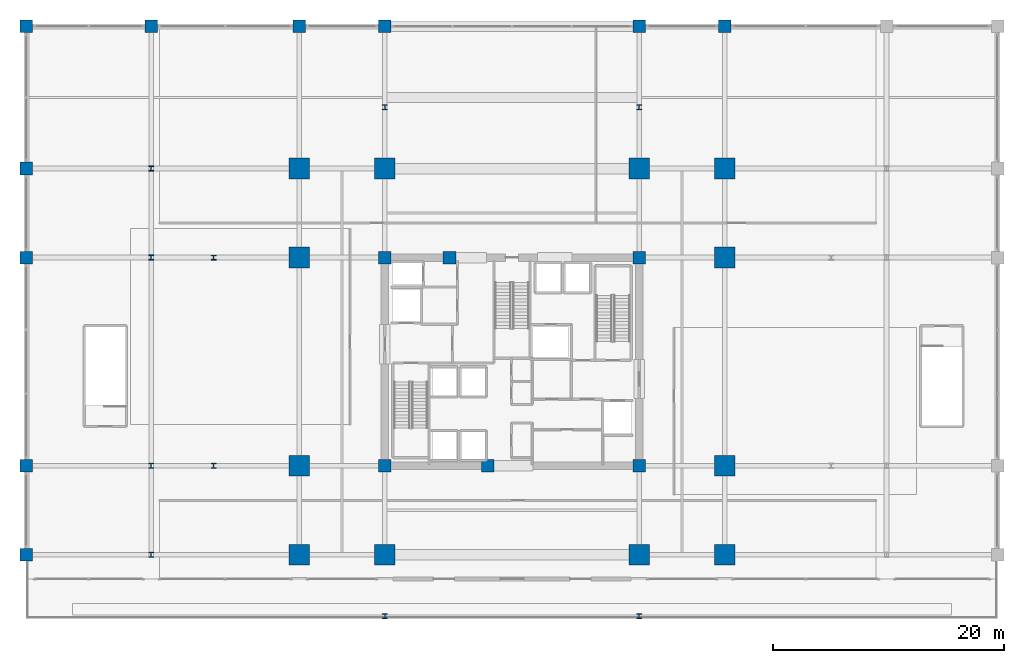
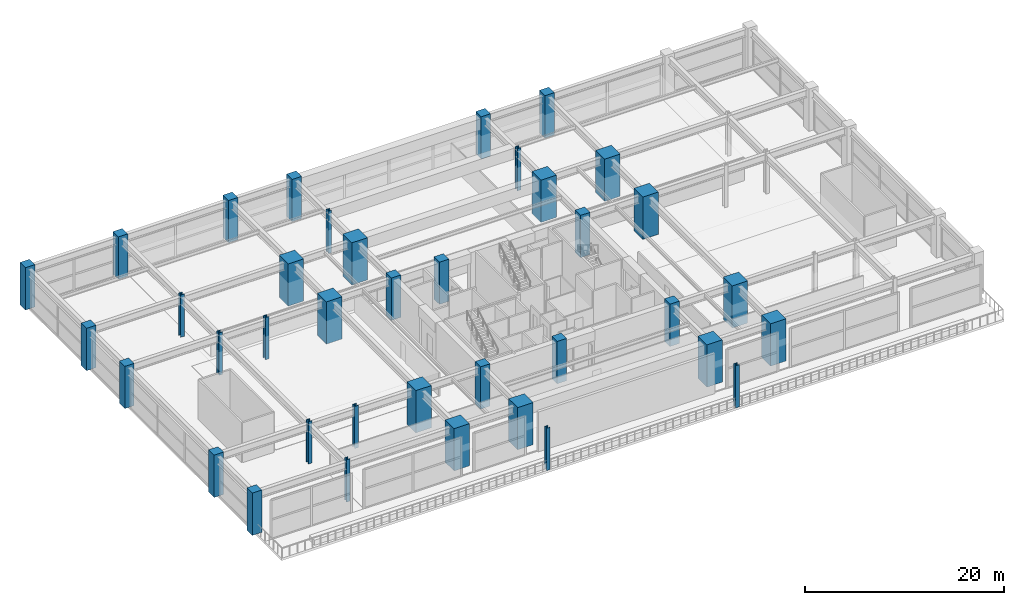
# One storey, part 1 of 35: 38 columns.
"""IFC4 building model written with IfcOpenShell, lengths in metres."""

from ifc_helpers import new_model, si_unit, direction, frame, origin, origin_2d, place, context, subcontext, project, spatial, rectangle, i_section, extrude, material, material_profile, profile_set, type_object, element, save


model = new_model("IFC4")

# Units and contexts
model_context = context("Model", 3, precision=1e-05, world=origin(), true_north=direction((0.0, 1.0)))
body_context = subcontext(model_context, "Body", "Model", "MODEL_VIEW")
ifc_project = project(units=[si_unit("LENGTHUNIT", "METRE"), si_unit("AREAUNIT", "SQUARE_METRE"), si_unit("VOLUMEUNIT", "CUBIC_METRE"), si_unit("PLANEANGLEUNIT", "RADIAN"), si_unit("MASSUNIT", "GRAM", prefix="KILO")], contexts=[model_context])

# Site, building, storey
site_placement = place(None, origin())
site = spatial("IfcSite", under=ifc_project, at=site_placement, CompositionType="ELEMENT")
building_placement = place(site_placement, origin())
building = spatial("IfcBuilding", under=site, at=building_placement, Name="Kovane Verandah Tower", CompositionType="ELEMENT")
storey_placement = place(building_placement, frame((0.0, 0.0, 16.39990234375)))
storey = spatial("IfcBuildingStorey", under=building, at=storey_placement, Name="L03", CompositionType="ELEMENT", Elevation=16.39990234375)

# Columns
ifc_material_1 = material(Name="Concrete C60/75", Category="concrete")
ifc_material_profile_1 = material_profile(ifc_material_1, rectangle(XDim=1.10009765625, YDim=1.10009765625, at=origin_2d()), Name="RC1100x1100")
ifc_profile_set_1 = profile_set([ifc_material_profile_1], Name="Concrete C60/75")
column_type_1 = type_object("IfcColumnType", Name="COL-POD1100", PredefinedType="COLUMN", material=ifc_profile_set_1)
for number, where, z_axis, x_axis, name in (
    (1, (-2.0, 10.800048828125, 0.0), (0.0, 0.0, 1.0), (1.0, 0.0, 0.0), "L03 Podium Column PC-W1"),
    (2, (-2.0, 18.5, 0.0), (0.0, 0.0, 1.0), (1.0, 0.0, 0.0), "L03 Podium Column PC-W2"),
    (3, (-2.0, 36.5, 0.0), (0.0, 0.0, 1.0), (1.0, 0.0, 0.0), "L03 Podium Column PC-W3"),
    (4, (-2.0, 44.199951171875, 0.0), (0.0, 0.0, 1.0), (1.0, 0.0, 0.0), "L03 Podium Column PC-W4"),
    (5, (-2.0, 56.5, 0.0), (0.0, 0.0, 1.0), (1.0, 0.0, 0.0), "L03 Podium Column PC-W5"),
    (6, (8.800048828125, 56.5, 0.0), (0.0, 0.0, 1.0), (1.0, 0.0, 0.0), "L03 Podium Column PC-N1"),
    (7, (21.60009765625, 56.5, 0.0), (0.0, 0.0, 1.0), (1.0, 0.0, 0.0), "L03 Podium Column PC-N2"),
    (8, (29.0, 56.5, 0.0), (0.0, 0.0, 1.0), (1.0, 0.0, 0.0), "L03 Podium Column PC-N3"),
    (9, (51.0, 56.5, 0.0), (0.0, 0.0, 1.0), (1.0, 0.0, 0.0), "L03 Podium Column PC-N4"),
    (10, (58.39990234375, 56.5, 0.0), (0.0, 0.0, 1.0), (1.0, 0.0, 0.0), "L03 Podium Column PC-N5"),
):
    element("IfcColumn", number, at=place(storey_placement, frame(where, z_axis=z_axis, x_axis=x_axis)), inside=storey, type_object=column_type_1, Name=name, PredefinedType="COLUMN", context=body_context, shape_type="SweptSolid", body=[
        extrude(rectangle(XDim=1.10009765625, YDim=1.10009765625, at=origin_2d()), origin(), (0.0, 0.0, 1.0), 5.2001953125),
    ])
ifc_material_2 = material(Name="Concrete C80/95", Category="concrete")
ifc_material_profile_2 = material_profile(ifc_material_2, rectangle(XDim=1.800048828125, YDim=1.800048828125, at=origin_2d()), Name="RC1800x1800")
ifc_profile_set_2 = profile_set([ifc_material_profile_2], Name="Concrete C80/95")
column_type_2 = type_object("IfcColumnType", Name="COL-RC1800", PredefinedType="COLUMN", material=ifc_profile_set_2)
for number, where, z_axis, x_axis, name in (
    (11, (29.0, 10.800048828125, 0.0), (0.0, 0.0, 1.0), (1.0, 0.0, 0.0), "L03 Tower Mega-Column MC-S1"),
    (12, (51.0, 10.800048828125, 0.0), (0.0, 0.0, 1.0), (1.0, 0.0, 0.0), "L03 Tower Mega-Column MC-S2"),
    (13, (29.0, 44.199951171875, 0.0), (0.0, 0.0, 1.0), (1.0, 0.0, 0.0), "L03 Tower Mega-Column MC-N1"),
    (14, (51.0, 44.199951171875, 0.0), (0.0, 0.0, 1.0), (1.0, 0.0, 0.0), "L03 Tower Mega-Column MC-N2"),
    (15, (21.60009765625, 18.5, 0.0), (0.0, 0.0, 1.0), (1.0, 0.0, 0.0), "L03 Tower Mega-Column MC-W1"),
    (16, (21.60009765625, 36.5, 0.0), (0.0, 0.0, 1.0), (1.0, 0.0, 0.0), "L03 Tower Mega-Column MC-W2"),
    (17, (58.39990234375, 18.5, 0.0), (0.0, 0.0, 1.0), (1.0, 0.0, 0.0), "L03 Tower Mega-Column MC-E1"),
    (18, (58.39990234375, 36.5, 0.0), (0.0, 0.0, 1.0), (1.0, 0.0, 0.0), "L03 Tower Mega-Column MC-E2"),
    (19, (21.60009765625, 10.800048828125, 0.0), (0.0, 0.0, 1.0), (1.0, 0.0, 0.0), "L03 Tower Mega-Column MC-SW"),
    (20, (58.39990234375, 10.800048828125, 0.0), (0.0, 0.0, 1.0), (1.0, 0.0, 0.0), "L03 Tower Mega-Column MC-SE"),
    (21, (21.60009765625, 44.199951171875, 0.0), (0.0, 0.0, 1.0), (1.0, 0.0, 0.0), "L03 Tower Mega-Column MC-NW"),
    (22, (58.39990234375, 44.199951171875, 0.0), (0.0, 0.0, 1.0), (1.0, 0.0, 0.0), "L03 Tower Mega-Column MC-NE"),
):
    element("IfcColumn", number, at=place(storey_placement, frame(where, z_axis=z_axis, x_axis=x_axis)), inside=storey, type_object=column_type_2, Name=name, PredefinedType="COLUMN", context=body_context, shape_type="SweptSolid", body=[
        extrude(rectangle(XDim=1.800048828125, YDim=1.800048828125, at=origin_2d()), origin(), (0.0, 0.0, 1.0), 5.2001953125),
    ])
ifc_material_3 = material(Name="Steel S460", Category="steel")
ifc_material_profile_3 = material_profile(ifc_material_3, i_section(OverallWidth=0.412109375, OverallDepth=0.4365234375, WebThickness=0.035888671875, FlangeThickness=0.05810546875, FilletRadius=0.01513671875, at=origin_2d()), Name="UC356x406x467")
ifc_profile_set_3 = profile_set([ifc_material_profile_3], Name="Steel S460")
column_type_3 = type_object("IfcColumnType", Name="COL-UC467", PredefinedType="COLUMN", material=ifc_profile_set_3)
for number, where, z_axis, x_axis, name in (
    (23, (14.199951171875, 18.5, 0.0), (0.0, 0.0, 1.0), (1.0, 0.0, 0.0), "L03 Verandah Perimeter Column VC-W1"),
    (24, (14.199951171875, 36.5, 0.0), (0.0, 0.0, 1.0), (1.0, 0.0, 0.0), "L03 Verandah Perimeter Column VC-W2"),
    (25, (29.0, 5.5, 0.0), (0.0, 0.0, 1.0), (1.0, 0.0, 0.0), "L03 Verandah Perimeter Column VC-S1"),
    (26, (51.0, 5.5, 0.0), (0.0, 0.0, 1.0), (1.0, 0.0, 0.0), "L03 Verandah Perimeter Column VC-S2"),
    (27, (29.0, 49.5, 0.0), (0.0, 0.0, 1.0), (1.0, 0.0, 0.0), "L03 Verandah Perimeter Column VC-N1"),
    (28, (51.0, 49.5, 0.0), (0.0, 0.0, 1.0), (1.0, 0.0, 0.0), "L03 Verandah Perimeter Column VC-N2"),
):
    element("IfcColumn", number, at=place(storey_placement, frame(where, z_axis=z_axis, x_axis=x_axis)), inside=storey, type_object=column_type_3, Name=name, PredefinedType="COLUMN", context=body_context, shape_type="SweptSolid", body=[
        extrude(i_section(OverallWidth=0.412109375, OverallDepth=0.4365234375, WebThickness=0.035888671875, FlangeThickness=0.05810546875, FilletRadius=0.01513671875, at=origin_2d()), origin(), (0.0, 0.0, 1.0), 5.2001953125),
    ])
ifc_material_4 = material(Name="Steel S355", Category="steel")
ifc_material_profile_4 = material_profile(ifc_material_4, i_section(OverallWidth=0.41845703125, OverallDepth=0.45556640625, WebThickness=0.0419921875, FlangeThickness=0.0673828125, FilletRadius=0.01513671875, at=origin_2d()), Name="UC356x406x551")
ifc_profile_set_4 = profile_set([ifc_material_profile_4], Name="Steel S355")
column_type_4 = type_object("IfcColumnType", Name="COL-UC551", PredefinedType="COLUMN", material=ifc_profile_set_4)
for number, where, z_axis, x_axis, name in (
    (29, (8.800048828125, 10.800048828125, 0.0), (0.0, 0.0, 1.0), (1.0, 0.0, 0.0), "L03 Podium Column PC-MW1"),
    (30, (8.800048828125, 18.5, 0.0), (0.0, 0.0, 1.0), (1.0, 0.0, 0.0), "L03 Podium Column PC-MW2"),
    (31, (8.800048828125, 36.5, 0.0), (0.0, 0.0, 1.0), (1.0, 0.0, 0.0), "L03 Podium Column PC-MW3"),
    (32, (8.800048828125, 44.199951171875, 0.0), (0.0, 0.0, 1.0), (1.0, 0.0, 0.0), "L03 Podium Column PC-MW4"),
):
    element("IfcColumn", number, at=place(storey_placement, frame(where, z_axis=z_axis, x_axis=x_axis)), inside=storey, type_object=column_type_4, Name=name, PredefinedType="COLUMN", context=body_context, shape_type="SweptSolid", body=[
        extrude(i_section(OverallWidth=0.41845703125, OverallDepth=0.45556640625, WebThickness=0.0419921875, FlangeThickness=0.0673828125, FilletRadius=0.01513671875, at=origin_2d()), origin(), (0.0, 0.0, 1.0), 5.2001953125),
    ])
ifc_material_profile_5 = material_profile(ifc_material_2, rectangle(XDim=1.10009765625, YDim=1.10009765625, at=origin_2d()), Name="RC1100x1100")
ifc_profile_set_5 = profile_set([ifc_material_profile_5], Name="Concrete C80/95")
column_type_5 = type_object("IfcColumnType", Name="PIL-RC1100", PredefinedType="PILASTER", material=ifc_profile_set_5)
for number, where, z_axis, x_axis, name in (
    (33, (29.0, 18.5, 0.0), (0.0, 0.0, 1.0), (1.0, 0.0, 0.0), "L03 Core Pilaster CP-SW"),
    (34, (51.0, 18.5, 0.0), (0.0, 0.0, 1.0), (1.0, 0.0, 0.0), "L03 Core Pilaster CP-SE"),
    (35, (29.0, 36.5, 0.0), (0.0, 0.0, 1.0), (1.0, 0.0, 0.0), "L03 Core Pilaster CP-NW"),
    (36, (51.0, 36.5, 0.0), (0.0, 0.0, 1.0), (1.0, 0.0, 0.0), "L03 Core Pilaster CP-NE"),
    (37, (37.89990234375, 18.5, 0.0), (0.0, 0.0, 1.0), (1.0, 0.0, 0.0), "L03 Core Pilaster CP-S"),
    (38, (34.60009765625, 36.5, 0.0), (0.0, 0.0, 1.0), (1.0, 0.0, 0.0), "L03 Core Pilaster CP-N"),
):
    element("IfcColumn", number, at=place(storey_placement, frame(where, z_axis=z_axis, x_axis=x_axis)), inside=storey, type_object=column_type_5, Name=name, PredefinedType="PILASTER", context=body_context, shape_type="SweptSolid", body=[
        extrude(rectangle(XDim=1.10009765625, YDim=1.10009765625, at=origin_2d()), origin(), (0.0, 0.0, 1.0), 5.2001953125),
    ])

save(model, "model.ifc")
